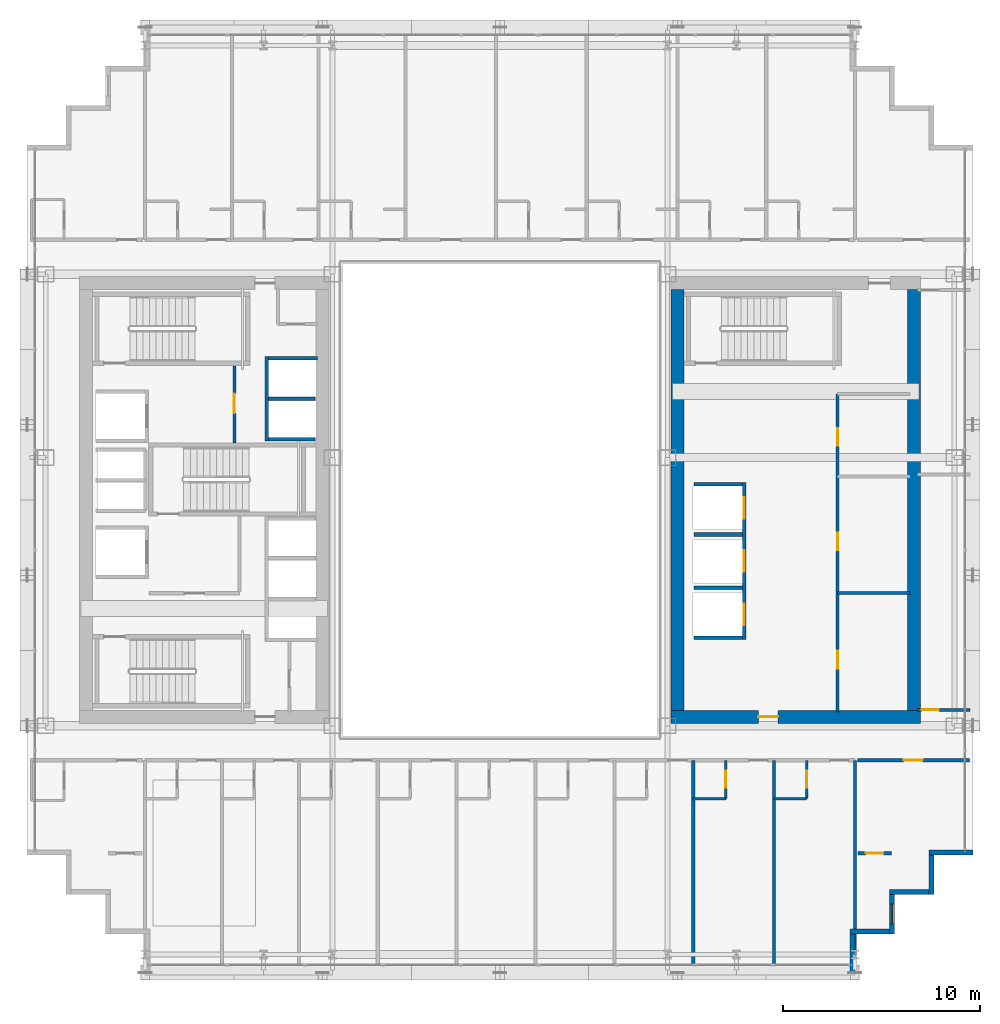
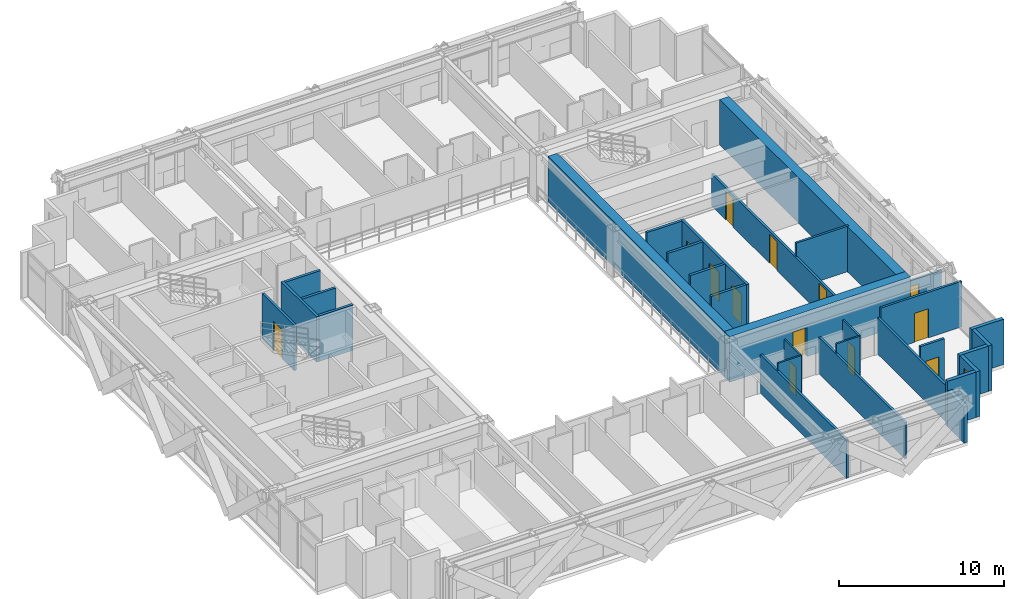
# One storey, part 29 of 36: 31 walls, 13 doors, 1 window, 14 openings.
"""IFC4 building model written with IfcOpenShell, lengths in metres."""

from ifc_helpers import new_model, si_unit, direction, frame, frame_2d, origin, place, context, subcontext, project, spatial, rectangle, extrude, source, transform, mapped, material, layer, layer_set, type_object, element, fill, save


model = new_model("IFC4")

# Units and contexts
model_context = context("Model", 3, precision=1e-05, world=origin(), true_north=direction((0.0, 1.0)))
body_context = subcontext(model_context, "Body", "Model", "MODEL_VIEW")
ifc_project = project(units=[si_unit("LENGTHUNIT", "METRE"), si_unit("AREAUNIT", "SQUARE_METRE"), si_unit("VOLUMEUNIT", "CUBIC_METRE"), si_unit("PLANEANGLEUNIT", "RADIAN"), si_unit("MASSUNIT", "GRAM", prefix="KILO")], contexts=[model_context])

# Site, building, storey
site_placement = place(None, origin())
site = spatial("IfcSite", under=ifc_project, at=site_placement, CompositionType="ELEMENT")
building_placement = place(site_placement, origin())
building = spatial("IfcBuilding", under=site, at=building_placement, Name="Ocotamira Hotel", CompositionType="ELEMENT")
storey_placement = place(building_placement, frame((0.0, 0.0, 136.800048828125)))
storey = spatial("IfcBuildingStorey", under=building, at=storey_placement, Name="L34", CompositionType="ELEMENT", Elevation=136.800048828125)

# Wall, opening, door
ifc_material_1 = material(Name="Concrete C60/75", Category="concrete")
ifc_layer_1 = layer(ifc_material_1, 0.64990234375)
ifc_layer_set_1 = layer_set([ifc_layer_1], Name="Concrete C60/75")
wall_type_1 = type_object("IfcWallType", Name="WL-CORE-650", PredefinedType="SHEAR", material=ifc_layer_set_1)
wall_1_placement = place(storey_placement, frame((40.675048828125, 15.0, 0.0), z_axis=(0.0, 0.0, 1.0), x_axis=(1.0, 0.0, 0.0)))
wall_1 = element("IfcWall", 1, at=wall_1_placement, inside=storey, type_object=wall_type_1, Name="L34 Shear Core Wall ECORE-S", PredefinedType="SHEAR", context=body_context, shape_type="SweptSolid", body=[
    extrude(rectangle(XDim=12.64990234375, YDim=0.64990234375, at=frame_2d((6.324951171875, 0.0))), origin(), (0.0, 0.0, 1.0), 3.35986328125),
])
opening_1_placement = place(wall_1_placement, frame((4.425048828125, 0.0, 0.0)))
opening_1 = element("IfcOpeningElement", 2, at=opening_1_placement, cuts=wall_1, Name="Opening D-FR2", PredefinedType="OPENING", context=body_context, shape_type="SweptSolid", body=[
    extrude(rectangle(XDim=1.0, YDim=2.14990234375, at=frame_2d((0.5, 1.074951171875))), frame((0.0, 0.3349609375, 0.0), z_axis=(0.0, -1.0, 0.0), x_axis=(1.0, 0.0, 0.0)), (0.0, 0.0, 1.0), 0.669921875),
])
ifc_material_2 = material(Name="Fire-rated acoustic timber-veneer door", Category="wood")
door_type_1 = type_object("IfcDoorType", Name="DR-FIRE-1000", OperationType="NOTDEFINED", PredefinedType="DOOR", material=ifc_material_2)
shared_shape_1 = source(origin(), body_context, "Body", "SweptSolid", [
    extrude(rectangle(XDim=1.0, YDim=2.14990234375, at=frame_2d((0.5, 1.074951171875))), frame((0.0, 0.02490234375, 0.0), z_axis=(0.0, -1.0, 0.0), x_axis=(1.0, 0.0, 0.0)), (0.0, 0.0, 1.0), 0.050048828125),
])
door_1_placement = place(opening_1_placement, origin())
door_1 = element("IfcDoor", 3, at=door_1_placement, inside=storey, type_object=door_type_1, Name="L34 Door ID-L34-ELOB-S-D [ID-L34-ELOB-S-D]", OperationType="SINGLE_SWING_RIGHT", OverallHeight=2.14990234375, OverallWidth=1.0, PredefinedType="DOOR", context=body_context, shape_type="MappedRepresentation", body=[
    mapped(shared_shape_1, transform((0.0, 0.0, 0.0), scale=1.0)),
])
fill(opening_1, door_1)

# Walls
for number, where, z_axis, x_axis, name in (
    (4, (41.0, 15.324951171875, 0.0), (0.0, 0.0, 1.0), (0.0, 1.0, 0.0), "L34 Shear Core Wall ECORE-W"),
    (5, (53.0, 15.324951171875, 0.0), (0.0, 0.0, 1.0), (0.0, 1.0, 0.0), "L34 Shear Core Wall ECORE-E"),
):
    element("IfcWall", number, at=place(storey_placement, frame(where, z_axis=z_axis, x_axis=x_axis)), inside=storey, type_object=wall_type_1, Name=name, PredefinedType="SHEAR", context=body_context, shape_type="SweptSolid", body=[
        extrude(rectangle(XDim=21.35009765625, YDim=0.64990234375, at=frame_2d((10.675048828125, 0.0))), origin(), (0.0, 0.0, 1.0), 3.35986328125),
    ])
ifc_material_3 = material(Name="Precast concrete C45/55", Category="concrete")
ifc_layer_2 = layer(ifc_material_3, 0.25)
ifc_layer_set_2 = layer_set([ifc_layer_2], Name="Precast concrete C45/55")
wall_type_2 = type_object("IfcWallType", Name="WL-EXT-SER-250", PredefinedType="SOLIDWALL", material=ifc_layer_set_2)
wall_2_placement = place(storey_placement, frame((49.875, 2.0, 0.0), z_axis=(0.0, 0.0, 1.0), x_axis=(0.0, 1.0, 0.0)))
element("IfcWall", 6, at=wall_2_placement, inside=storey, type_object=wall_type_2, Name="L34 Serrated Corner Wall 01", PredefinedType="SOLIDWALL", context=body_context, shape_type="SweptSolid", body=[
    extrude(rectangle(XDim=2.0, YDim=0.25, at=frame_2d((1.0, 0.0))), origin(), (0.0, 0.0, 1.0), 2.6669921875),
])
wall_3_placement = place(storey_placement, frame((49.75, 4.125, 0.0), z_axis=(0.0, 0.0, 1.0), x_axis=(1.0, 0.0, 0.0)))
element("IfcWall", 7, at=wall_3_placement, inside=storey, type_object=wall_type_2, Name="L34 Serrated Corner Wall 02", PredefinedType="SOLIDWALL", context=body_context, shape_type="SweptSolid", body=[
    extrude(rectangle(XDim=2.0, YDim=0.25, at=frame_2d((1.0, 0.0))), origin(), (0.0, 0.0, 1.0), 3.35986328125),
])

# Wall, opening, window
wall_4_placement = place(storey_placement, frame((51.875, 4.0, 0.0), z_axis=(0.0, 0.0, 1.0), x_axis=(0.0, 1.0, 0.0)))
wall_4 = element("IfcWall", 8, at=wall_4_placement, inside=storey, type_object=wall_type_2, Name="L34 Serrated Corner Wall 03", PredefinedType="SOLIDWALL", context=body_context, shape_type="SweptSolid", body=[
    extrude(rectangle(XDim=2.0, YDim=0.25, at=frame_2d((1.0, 0.0))), origin(), (0.0, 0.0, 1.0), 3.35986328125),
])
opening_2_placement = place(wall_4_placement, frame((0.5, 0.0, 0.85009765625)))
opening_2 = element("IfcOpeningElement", 9, at=opening_2_placement, cuts=wall_4, Name="Opening WN-2", PredefinedType="OPENING", context=body_context, shape_type="SweptSolid", body=[
    extrude(rectangle(XDim=1.0, YDim=1.89990234375, at=frame_2d((0.5, 0.949951171875))), frame((0.0, 0.135009765625, 0.0), z_axis=(0.0, -1.0, 0.0), x_axis=(1.0, 0.0, 0.0)), (0.0, 0.0, 1.0), 0.27001953125),
])
ifc_material_4 = material(Name="Double-silver low-E solar glass", Category="glass")
window_type = type_object("IfcWindowType", Name="WIN-SER-1100", PartitioningType="SINGLE_PANEL", PredefinedType="WINDOW", material=ifc_material_4)
shared_shape_2 = source(origin(), body_context, "Body", "SweptSolid", [
    extrude(rectangle(XDim=1.0, YDim=1.89990234375, at=frame_2d((0.5, 0.949951171875))), frame((0.0, 0.030029296875, 0.0), z_axis=(0.0, -1.0, 0.0), x_axis=(1.0, 0.0, 0.0)), (0.0, 0.0, 1.0), 0.06005859375),
])
window_placement = place(opening_2_placement, origin())
window = element("IfcWindow", 10, at=window_placement, inside=storey, type_object=window_type, Name="L34 Serrated Corner Window 03", OverallHeight=1.89990234375, OverallWidth=1.0, PartitioningType="SINGLE_PANEL", PredefinedType="WINDOW", context=body_context, shape_type="MappedRepresentation", body=[
    mapped(shared_shape_2, transform((0.0, 0.0, 0.0), scale=1.0)),
])
fill(opening_2, window)

# Walls
for number, where, z_axis, x_axis, name in (
    (11, (51.75, 6.125, 0.0), (0.0, 0.0, 1.0), (1.0, 0.0, 0.0), "L34 Serrated Corner Wall 04"),
    (12, (53.875, 6.0, 0.0), (0.0, 0.0, 1.0), (0.0, 1.0, 0.0), "L34 Serrated Corner Wall 05"),
):
    element("IfcWall", number, at=place(storey_placement, frame(where, z_axis=z_axis, x_axis=x_axis)), inside=storey, type_object=wall_type_2, Name=name, PredefinedType="SOLIDWALL", context=body_context, shape_type="SweptSolid", body=[
        extrude(rectangle(XDim=2.0, YDim=0.25, at=frame_2d((1.0, 0.0))), origin(), (0.0, 0.0, 1.0), 3.35986328125),
    ])
wall_5_placement = place(storey_placement, frame((53.75, 8.125, 0.0), z_axis=(0.0, 0.0, 1.0), x_axis=(1.0, 0.0, 0.0)))
element("IfcWall", 13, at=wall_5_placement, inside=storey, type_object=wall_type_2, Name="L34 Serrated Corner Wall 06", PredefinedType="SOLIDWALL", context=body_context, shape_type="SweptSolid", body=[
    extrude(rectangle(XDim=2.25, YDim=0.25, at=frame_2d((1.125, 0.0))), origin(), (0.0, 0.0, 1.0), 3.35986328125),
])

# Wall, opening, door
ifc_material_5 = material(Name="Acoustic double-layer fire gypsum board partition", Category="gypsum")
ifc_layer_3 = layer(ifc_material_5, 0.159912109375)
ifc_layer_set_3 = layer_set([ifc_layer_3], Name="Acoustic double-layer fire gypsum board partition")
wall_type_3 = type_object("IfcWallType", Name="WL-FIRE-160", PredefinedType="PARTITIONING", material=ifc_layer_set_3)
wall_6_placement = place(storey_placement, frame((18.530029296875, 28.89990234375, 0.0), z_axis=(0.0, 0.0, 1.0), x_axis=(0.0, 1.0, 0.0)))
wall_6 = element("IfcWall", 14, at=wall_6_placement, inside=storey, type_object=wall_type_3, Name="L34 Interior Wall PW-L34-FSAE2-E", PredefinedType="PARTITIONING", context=body_context, shape_type="SweptSolid", body=[
    extrude(rectangle(XDim=3.900146484375, YDim=0.159912109375, at=frame_2d((1.9501953125, 0.0))), origin(), (0.0, 0.0, 1.0), 3.35986328125),
])
opening_3_placement = place(wall_6_placement, frame((1.5, 0.0, 0.0)))
opening_3 = element("IfcOpeningElement", 15, at=opening_3_placement, cuts=wall_6, Name="Opening D-FR2", PredefinedType="OPENING", context=body_context, shape_type="SweptSolid", body=[
    extrude(rectangle(XDim=1.0, YDim=2.14990234375, at=frame_2d((0.5, 1.074951171875))), frame((0.0, 0.08984375, 0.0), z_axis=(0.0, -1.0, 0.0), x_axis=(1.0, 0.0, 0.0)), (0.0, 0.0, 1.0), 0.179931640625),
])
door_2_placement = place(opening_3_placement, origin())
door_2 = element("IfcDoor", 16, at=door_2_placement, inside=storey, type_object=door_type_1, Name="L34 Door ID-L34-FSAE2-D [ID-L34-FSAE2-D]", OperationType="SINGLE_SWING_RIGHT", OverallHeight=2.14990234375, OverallWidth=1.0, PredefinedType="DOOR", context=body_context, shape_type="MappedRepresentation", body=[
    mapped(shared_shape_1, transform((0.0, 0.0, 0.0), scale=1.0)),
])
fill(opening_3, door_2)

# Wall, openings, doors
wall_7_placement = place(storey_placement, frame((49.1201171875, 15.25, 0.0), z_axis=(0.0, 0.0, 1.0), x_axis=(0.0, 1.0, 0.0)))
wall_7 = element("IfcWall", 17, at=wall_7_placement, inside=storey, type_object=wall_type_3, Name="L34 Interior Wall PW-L34-EC-FLOW-W", PredefinedType="PARTITIONING", context=body_context, shape_type="SweptSolid", body=[
    extrude(rectangle(XDim=16.1298828125, YDim=0.159912109375, at=frame_2d((8.06494140625, 0.0))), origin(), (0.0, 0.0, 1.0), 2.35986328125),
])
opening_4_placement = place(wall_7_placement, frame((2.199951171875, 0.0, 0.0)))
opening_4 = element("IfcOpeningElement", 18, at=opening_4_placement, cuts=wall_7, Name="Opening D-IN3", PredefinedType="OPENING", context=body_context, shape_type="SweptSolid", body=[
    extrude(rectangle(XDim=0.89990234375, YDim=2.14990234375, at=frame_2d((0.449951171875, 1.074951171875))), frame((0.0, 0.08984375, 0.0), z_axis=(0.0, -1.0, 0.0), x_axis=(1.0, 0.0, 0.0)), (0.0, 0.0, 1.0), 0.179931640625),
])
opening_5_placement = place(wall_7_placement, frame((8.199951171875, 0.0, 0.0)))
opening_5 = element("IfcOpeningElement", 19, at=opening_5_placement, cuts=wall_7, Name="Opening D-IN3", PredefinedType="OPENING", context=body_context, shape_type="SweptSolid", body=[
    extrude(rectangle(XDim=0.89990234375, YDim=2.14990234375, at=frame_2d((0.449951171875, 1.074951171875))), frame((0.0, 0.08984375, 0.0), z_axis=(0.0, -1.0, 0.0), x_axis=(1.0, 0.0, 0.0)), (0.0, 0.0, 1.0), 0.179931640625),
])
opening_6_placement = place(wall_7_placement, frame((13.5, 0.0, 0.0)))
opening_6 = element("IfcOpeningElement", 20, at=opening_6_placement, cuts=wall_7, Name="Opening D-IN3", PredefinedType="OPENING", context=body_context, shape_type="SweptSolid", body=[
    extrude(rectangle(XDim=0.89990234375, YDim=2.14990234375, at=frame_2d((0.449951171875, 1.074951171875))), frame((0.0, 0.08984375, 0.0), z_axis=(0.0, -1.0, 0.0), x_axis=(1.0, 0.0, 0.0)), (0.0, 0.0, 1.0), 0.179931640625),
])
ifc_material_6 = material(Name="Painted service room door", Category="steel")
door_type_2 = type_object("IfcDoorType", Name="DR-INT-900", OperationType="NOTDEFINED", PredefinedType="DOOR", material=ifc_material_6)
shared_shape_3 = source(origin(), body_context, "Body", "SweptSolid", [
    extrude(rectangle(XDim=0.89990234375, YDim=2.14990234375, at=frame_2d((0.449951171875, 1.074951171875))), frame((0.0, 0.02490234375, 0.0), z_axis=(0.0, -1.0, 0.0), x_axis=(1.0, 0.0, 0.0)), (0.0, 0.0, 1.0), 0.050048828125),
])
door_3_placement = place(opening_4_placement, origin())
door_3 = element("IfcDoor", 21, at=door_3_placement, inside=storey, type_object=door_type_2, Name="L34 Door ID-L34-EC-FLOW-D1 [ID-L34-EC-FLOW-D1]", OperationType="SINGLE_SWING_LEFT", OverallHeight=2.14990234375, OverallWidth=0.89990234375, PredefinedType="DOOR", context=body_context, shape_type="MappedRepresentation", body=[
    mapped(shared_shape_3, transform((0.0, 0.0, 0.0), scale=1.0)),
])
fill(opening_4, door_3)
door_4_placement = place(opening_5_placement, origin())
door_4 = element("IfcDoor", 22, at=door_4_placement, inside=storey, type_object=door_type_2, Name="L34 Door ID-L34-EC-FLOW-D2 [ID-L34-EC-FLOW-D2]", OperationType="SINGLE_SWING_RIGHT", OverallHeight=2.14990234375, OverallWidth=0.89990234375, PredefinedType="DOOR", context=body_context, shape_type="MappedRepresentation", body=[
    mapped(shared_shape_3, transform((0.0, 0.0, 0.0), scale=1.0)),
])
fill(opening_5, door_4)
door_5_placement = place(opening_6_placement, origin())
door_5 = element("IfcDoor", 23, at=door_5_placement, inside=storey, type_object=door_type_2, Name="L34 Door ID-L34-EC-FLOW-D3 [ID-L34-EC-FLOW-D3]", OperationType="SINGLE_SWING_LEFT", OverallHeight=2.14990234375, OverallWidth=0.89990234375, PredefinedType="DOOR", context=body_context, shape_type="MappedRepresentation", body=[
    mapped(shared_shape_3, transform((0.0, 0.0, 0.0), scale=1.0)),
])
fill(opening_6, door_5)

# Wall, opening, door
wall_8_placement = place(storey_placement, frame((50.1201171875, 12.800048828125, 0.0), z_axis=(0.0, 0.0, 1.0), x_axis=(1.0, 0.0, 0.0)))
wall_8 = element("IfcWall", 24, at=wall_8_placement, inside=storey, type_object=wall_type_3, Name="L34 Interior Wall PW-L34-Z2D-CSE-CW", PredefinedType="PARTITIONING", context=body_context, shape_type="SweptSolid", body=[
    extrude(rectangle(XDim=5.679931640625, YDim=0.159912109375, at=frame_2d((2.83984375, 0.0))), origin(), (0.0, 0.0, 1.0), 3.35986328125),
])
opening_7_placement = place(wall_8_placement, frame((2.360107421875, 0.0, 0.0)))
opening_7 = element("IfcOpeningElement", 25, at=opening_7_placement, cuts=wall_8, Name="Opening D-SV4", PredefinedType="OPENING", context=body_context, shape_type="SweptSolid", body=[
    extrude(rectangle(XDim=0.9599609375, YDim=2.14990234375, at=frame_2d((0.47998046875, 1.074951171875))), frame((0.0, 0.08984375, 0.0), z_axis=(0.0, -1.0, 0.0), x_axis=(1.0, 0.0, 0.0)), (0.0, 0.0, 1.0), 0.179931640625),
])
ifc_material_7 = material(Name="Fire-rated accessible walnut salon door", Category="wood")
door_type_3 = type_object("IfcDoorType", Name="DR-SERV-960", OperationType="NOTDEFINED", PredefinedType="DOOR", material=ifc_material_7)
shared_shape_4 = source(origin(), body_context, "Body", "SweptSolid", [
    extrude(rectangle(XDim=0.9599609375, YDim=2.14990234375, at=frame_2d((0.47998046875, 1.074951171875))), frame((0.0, 0.02490234375, 0.0), z_axis=(0.0, -1.0, 0.0), x_axis=(1.0, 0.0, 0.0)), (0.0, 0.0, 1.0), 0.050048828125),
])
door_6_placement = place(opening_7_placement, origin())
door_6 = element("IfcDoor", 26, at=door_6_placement, inside=storey, type_object=door_type_3, Name="L34 Door ID-L34-Z2D-CSE-CD [ID-L34-Z2D-CSE-CD]", OperationType="SINGLE_SWING_LEFT", OverallHeight=2.14990234375, OverallWidth=0.9599609375, PredefinedType="DOOR", context=body_context, shape_type="MappedRepresentation", body=[
    mapped(shared_shape_4, transform((0.0, 0.0, 0.0), scale=1.0)),
])
fill(opening_7, door_6)

wall_9_placement = place(storey_placement, frame((50.14990234375, 8.080078125, 0.0), z_axis=(0.0, 0.0, 1.0), x_axis=(1.0, 0.0, 0.0)))
wall_9 = element("IfcWall", 27, at=wall_9_placement, inside=storey, type_object=wall_type_3, Name="L34 Interior Wall PW-L34-Z2D-CSE2-CW", PredefinedType="PARTITIONING", context=body_context, shape_type="SweptSolid", body=[
    extrude(rectangle(XDim=1.7001953125, YDim=0.159912109375, at=frame_2d((0.85009765625, 0.0))), origin(), (0.0, 0.0, 1.0), 3.35986328125),
])
opening_8_placement = place(wall_9_placement, frame((0.409912109375, 0.0, 0.0)))
opening_8 = element("IfcOpeningElement", 28, at=opening_8_placement, cuts=wall_9, Name="Opening D-SV2", PredefinedType="OPENING", context=body_context, shape_type="SweptSolid", body=[
    extrude(rectangle(XDim=0.8798828125, YDim=2.14990234375, at=frame_2d((0.43994140625, 1.074951171875))), frame((0.0, 0.08984375, 0.0), z_axis=(0.0, -1.0, 0.0), x_axis=(1.0, 0.0, 0.0)), (0.0, 0.0, 1.0), 0.179931640625),
])
ifc_material_8 = material(Name="Fire-rated painted steel service door", Category="steel")
door_type_4 = type_object("IfcDoorType", Name="DR-SERV-880", OperationType="NOTDEFINED", PredefinedType="DOOR", material=ifc_material_8)
shared_shape_5 = source(origin(), body_context, "Body", "SweptSolid", [
    extrude(rectangle(XDim=0.8798828125, YDim=2.14990234375, at=frame_2d((0.43994140625, 1.074951171875))), frame((0.0, 0.02490234375, 0.0), z_axis=(0.0, -1.0, 0.0), x_axis=(1.0, 0.0, 0.0)), (0.0, 0.0, 1.0), 0.050048828125),
])
door_7_placement = place(opening_8_placement, origin())
door_7 = element("IfcDoor", 29, at=door_7_placement, inside=storey, type_object=door_type_4, Name="L34 Door ID-L34-Z2D-CSE2-CD [ID-L34-Z2D-CSE2-CD]", OperationType="SINGLE_SWING_LEFT", OverallHeight=2.14990234375, OverallWidth=0.8798828125, PredefinedType="DOOR", context=body_context, shape_type="MappedRepresentation", body=[
    mapped(shared_shape_5, transform((0.0, 0.0, 0.0), scale=1.0)),
])
fill(opening_8, door_7)

ifc_material_9 = material(Name="Moisture-resistant en-suite tile and gypsum partition", Category="gypsum")
ifc_layer_4 = layer(ifc_material_9, 0.1201171875)
ifc_layer_set_4 = layer_set([ifc_layer_4], Name="Moisture-resistant en-suite tile and gypsum partition")
wall_type_4 = type_object("IfcWallType", Name="WL-PART-120", PredefinedType="PARTITIONING", material=ifc_layer_set_4)
wall_10_placement = place(storey_placement, frame((43.449951171875, 10.85009765625, 0.0), z_axis=(0.0, 0.0, 1.0), x_axis=(0.0, 1.0, 0.0)))
wall_10 = element("IfcWall", 30, at=wall_10_placement, inside=storey, type_object=wall_type_4, Name="L34 Interior Wall PW-L34-Z2DS-BAE8", PredefinedType="PARTITIONING", context=body_context, shape_type="SweptSolid", body=[
    extrude(rectangle(XDim=1.949951171875, YDim=0.1201171875, at=frame_2d((0.97509765625, 0.0))), origin(), (0.0, 0.0, 1.0), 3.35986328125),
])
opening_9_placement = place(wall_10_placement, frame((0.544921875, 0.0, 0.0)))
opening_9 = element("IfcOpeningElement", 31, at=opening_9_placement, cuts=wall_10, Name="Opening D-BA1", PredefinedType="OPENING", context=body_context, shape_type="SweptSolid", body=[
    extrude(rectangle(XDim=0.860107421875, YDim=2.10009765625, at=frame_2d((0.43017578125, 1.050048828125))), frame((0.0, 0.070068359375, 0.0), z_axis=(0.0, -1.0, 0.0), x_axis=(1.0, 0.0, 0.0)), (0.0, 0.0, 1.0), 0.14013671875),
])
ifc_material_10 = material(Name="Moisture-sealed en-suite timber door", Category="wood")
door_type_5 = type_object("IfcDoorType", Name="DR-BATH-860", OperationType="NOTDEFINED", PredefinedType="DOOR", material=ifc_material_10)
shared_shape_6 = source(origin(), body_context, "Body", "SweptSolid", [
    extrude(rectangle(XDim=0.860107421875, YDim=2.10009765625, at=frame_2d((0.43017578125, 1.050048828125))), frame((0.0, 0.02490234375, 0.0), z_axis=(0.0, -1.0, 0.0), x_axis=(1.0, 0.0, 0.0)), (0.0, 0.0, 1.0), 0.050048828125),
])
door_8_placement = place(opening_9_placement, origin())
door_8 = element("IfcDoor", 32, at=door_8_placement, inside=storey, type_object=door_type_5, Name="L34 Door ID-L34-Z2DS-BAD8 [ID-L34-Z2DS-BAD8]", OperationType="SINGLE_SWING_LEFT", OverallHeight=2.10009765625, OverallWidth=0.860107421875, PredefinedType="DOOR", context=body_context, shape_type="MappedRepresentation", body=[
    mapped(shared_shape_6, transform((0.0, 0.0, 0.0), scale=1.0)),
])
fill(opening_9, door_8)

# Wall
wall_11_placement = place(storey_placement, frame((41.800048828125, 10.85009765625, 0.0), z_axis=(0.0, 0.0, 1.0), x_axis=(1.0, 0.0, 0.0)))
element("IfcWall", 33, at=wall_11_placement, inside=storey, type_object=wall_type_4, Name="L34 Interior Wall PW-L34-Z2DS-BAS8", PredefinedType="PARTITIONING", context=body_context, shape_type="SweptSolid", body=[
    extrude(rectangle(XDim=1.64990234375, YDim=0.1201171875, at=frame_2d((0.824951171875, 0.0))), origin(), (0.0, 0.0, 1.0), 3.35986328125),
])

# Wall, opening, door
wall_12_placement = place(storey_placement, frame((47.550048828125, 10.85009765625, 0.0), z_axis=(0.0, 0.0, 1.0), x_axis=(0.0, 1.0, 0.0)))
wall_12 = element("IfcWall", 34, at=wall_12_placement, inside=storey, type_object=wall_type_4, Name="L34 Interior Wall PW-L34-Z2DS-BAE9", PredefinedType="PARTITIONING", context=body_context, shape_type="SweptSolid", body=[
    extrude(rectangle(XDim=1.949951171875, YDim=0.1201171875, at=frame_2d((0.97509765625, 0.0))), origin(), (0.0, 0.0, 1.0), 3.35986328125),
])
opening_10_placement = place(wall_12_placement, frame((0.544921875, 0.0, 0.0)))
opening_10 = element("IfcOpeningElement", 35, at=opening_10_placement, cuts=wall_12, Name="Opening D-BA1", PredefinedType="OPENING", context=body_context, shape_type="SweptSolid", body=[
    extrude(rectangle(XDim=0.860107421875, YDim=2.10009765625, at=frame_2d((0.43017578125, 1.050048828125))), frame((0.0, 0.070068359375, 0.0), z_axis=(0.0, -1.0, 0.0), x_axis=(1.0, 0.0, 0.0)), (0.0, 0.0, 1.0), 0.14013671875),
])
door_9_placement = place(opening_10_placement, origin())
door_9 = element("IfcDoor", 36, at=door_9_placement, inside=storey, type_object=door_type_5, Name="L34 Door ID-L34-Z2DS-BAD9 [ID-L34-Z2DS-BAD9]", OperationType="SINGLE_SWING_RIGHT", OverallHeight=2.10009765625, OverallWidth=0.860107421875, PredefinedType="DOOR", context=body_context, shape_type="MappedRepresentation", body=[
    mapped(shared_shape_6, transform((0.0, 0.0, 0.0), scale=1.0)),
])
fill(opening_10, door_9)

# Walls
wall_13_placement = place(storey_placement, frame((45.89990234375, 10.85009765625, 0.0), z_axis=(0.0, 0.0, 1.0), x_axis=(1.0, 0.0, 0.0)))
element("IfcWall", 37, at=wall_13_placement, inside=storey, type_object=wall_type_4, Name="L34 Interior Wall PW-L34-Z2DS-BAS9", PredefinedType="PARTITIONING", context=body_context, shape_type="SweptSolid", body=[
    extrude(rectangle(XDim=1.650146484375, YDim=0.1201171875, at=frame_2d((0.8251953125, 0.0))), origin(), (0.0, 0.0, 1.0), 3.35986328125),
])
ifc_material_11 = material(Name="Acoustic hospitality gypsum board partition", Category="gypsum")
ifc_layer_5 = layer(ifc_material_11, 0.14990234375)
ifc_layer_set_5 = layer_set([ifc_layer_5], Name="Acoustic hospitality gypsum board partition")
wall_type_5 = type_object("IfcWallType", Name="WL-PART-150", PredefinedType="PARTITIONING", material=ifc_layer_set_5)
wall_14_placement = place(storey_placement, frame((49.1201171875, 21.2900390625, 0.0), z_axis=(0.0, 0.0, 1.0), x_axis=(1.0, 0.0, 0.0)))
element("IfcWall", 38, at=wall_14_placement, inside=storey, type_object=wall_type_5, Name="L34 Interior Wall PW-L34-EC-FDIV1", PredefinedType="PARTITIONING", context=body_context, shape_type="SweptSolid", body=[
    extrude(rectangle(XDim=3.679931640625, YDim=0.14990234375, at=frame_2d((1.83984375, 0.0))), origin(), (0.0, 0.0, 1.0), 3.35986328125),
])

# Wall, opening, door
wall_15_placement = place(storey_placement, frame((53.179931640625, 15.360107421875, 0.0), z_axis=(0.0, 0.0, 1.0), x_axis=(1.0, 0.0, 0.0)))
wall_15 = element("IfcWall", 39, at=wall_15_placement, inside=storey, type_object=wall_type_5, Name="L34 Interior Wall PW-L34-Z2D-EF-WS", PredefinedType="PARTITIONING", context=body_context, shape_type="SweptSolid", body=[
    extrude(rectangle(XDim=2.66015625, YDim=0.14990234375, at=frame_2d((1.330078125, 0.0))), origin(), (0.0, 0.0, 1.0), 2.5810546875),
])
opening_11_placement = place(wall_15_placement, frame((0.199951171875, 0.0, 0.0)))
opening_11 = element("IfcOpeningElement", 40, at=opening_11_placement, cuts=wall_15, Name="Opening D-SV2", PredefinedType="OPENING", context=body_context, shape_type="SweptSolid", body=[
    extrude(rectangle(XDim=0.8798828125, YDim=2.14990234375, at=frame_2d((0.43994140625, 1.074951171875))), frame((0.0, 0.0849609375, 0.0), z_axis=(0.0, -1.0, 0.0), x_axis=(1.0, 0.0, 0.0)), (0.0, 0.0, 1.0), 0.169921875),
])
door_10_placement = place(opening_11_placement, origin())
door_10 = element("IfcDoor", 41, at=door_10_placement, inside=storey, type_object=door_type_4, Name="L34 Door ID-L34-Z2D-EF-DS [ID-L34-Z2D-EF-DS]", OperationType="SINGLE_SWING_RIGHT", OverallHeight=2.14990234375, OverallWidth=0.8798828125, PredefinedType="DOOR", context=body_context, shape_type="MappedRepresentation", body=[
    mapped(shared_shape_5, transform((0.0, 0.0, 0.0), scale=1.0)),
])
fill(opening_11, door_10)

# Walls
ifc_material_12 = material(Name="Acoustic double-stud hospitality gypsum partition", Category="gypsum")
ifc_layer_6 = layer(ifc_material_12, 0.159912109375)
ifc_layer_set_6 = layer_set([ifc_layer_6], Name="Acoustic double-stud hospitality gypsum partition")
wall_type_6 = type_object("IfcWallType", Name="WL-PART-160", PredefinedType="PARTITIONING", material=ifc_layer_set_6)
wall_16_placement = place(storey_placement, frame((50.0, 2.360107421875, 0.0), z_axis=(0.0, 0.0, 1.0), x_axis=(0.0, 1.0, 0.0)))
element("IfcWall", 42, at=wall_16_placement, inside=storey, type_object=wall_type_6, Name="L34 Interior Wall PW-L34-Z2DS-PWEND", PredefinedType="PARTITIONING", context=body_context, shape_type="SweptSolid", body=[
    extrude(rectangle(XDim=10.43994140625, YDim=0.159912109375, at=frame_2d((5.219970703125, 0.0))), origin(), (0.0, 0.0, 1.0), 2.6669921875),
])
wall_17_placement = place(storey_placement, frame((41.800048828125, 2.360107421875, 0.0), z_axis=(0.0, 0.0, 1.0), x_axis=(0.0, 1.0, 0.0)))
element("IfcWall", 43, at=wall_17_placement, inside=storey, type_object=wall_type_6, Name="L34 Interior Wall PW-L34-Z2DS-PW7", PredefinedType="PARTITIONING", context=body_context, shape_type="SweptSolid", body=[
    extrude(rectangle(XDim=10.43994140625, YDim=0.159912109375, at=frame_2d((5.219970703125, 0.0))), origin(), (0.0, 0.0, 1.0), 2.822998046875),
])
wall_18_placement = place(storey_placement, frame((45.89990234375, 2.360107421875, 0.0), z_axis=(0.0, 0.0, 1.0), x_axis=(0.0, 1.0, 0.0)))
element("IfcWall", 44, at=wall_18_placement, inside=storey, type_object=wall_type_6, Name="L34 Interior Wall PW-L34-Z2DS-PW8", PredefinedType="PARTITIONING", context=body_context, shape_type="SweptSolid", body=[
    extrude(rectangle(XDim=10.43994140625, YDim=0.159912109375, at=frame_2d((5.219970703125, 0.0))), origin(), (0.0, 0.0, 1.0), 2.6669921875),
])

# Wall, openings, doors
ifc_material_13 = material(Name="Fire-rated gypsum shaftliner board assembly", Category="gypsum")
ifc_layer_7 = layer(ifc_material_13, 0.179931640625)
ifc_layer_set_7 = layer_set([ifc_layer_7], Name="Fire-rated gypsum shaftliner board assembly")
wall_type_7 = type_object("IfcWallType", Name="WL-SHAFT-180", PredefinedType="SOLIDWALL", material=ifc_layer_set_7)
wall_19_placement = place(storey_placement, frame((44.389892578125, 18.919921875, 0.0), z_axis=(0.0, 0.0, 1.0), x_axis=(0.0, 1.0, 0.0)))
wall_19 = element("IfcWall", 45, at=wall_19_placement, inside=storey, type_object=wall_type_7, Name="L34 Interior Wall PW-L34-LFW-BANK-mid-F", PredefinedType="SOLIDWALL", context=body_context, shape_type="SweptSolid", body=[
    extrude(rectangle(XDim=7.9599609375, YDim=0.179931640625, at=frame_2d((3.97998046875, 0.0))), origin(), (0.0, 0.0, 1.0), 3.35986328125),
])
opening_12_placement = place(wall_19_placement, frame((0.72998046875, 0.0, 0.0)))
opening_12 = element("IfcOpeningElement", 46, at=opening_12_placement, cuts=wall_19, Name="Opening LD-LF-P4", PredefinedType="OPENING", context=body_context, shape_type="SweptSolid", body=[
    extrude(rectangle(XDim=1.10009765625, YDim=2.199951171875, at=frame_2d((0.550048828125, 1.10009765625))), frame((0.0, 0.10009765625, 0.0), z_axis=(0.0, -1.0, 0.0), x_axis=(1.0, 0.0, 0.0)), (0.0, 0.0, 1.0), 0.199951171875),
])
opening_13_placement = place(wall_19_placement, frame((3.429931640625, 0.0, 0.0)))
opening_13 = element("IfcOpeningElement", 47, at=opening_13_placement, cuts=wall_19, Name="Opening LD-LF-P5", PredefinedType="OPENING", context=body_context, shape_type="SweptSolid", body=[
    extrude(rectangle(XDim=1.10009765625, YDim=2.199951171875, at=frame_2d((0.550048828125, 1.10009765625))), frame((0.0, 0.10009765625, 0.0), z_axis=(0.0, -1.0, 0.0), x_axis=(1.0, 0.0, 0.0)), (0.0, 0.0, 1.0), 0.199951171875),
])
opening_14_placement = place(wall_19_placement, frame((6.1298828125, 0.0, 0.0)))
opening_14 = element("IfcOpeningElement", 48, at=opening_14_placement, cuts=wall_19, Name="Opening LD-LF-P6", PredefinedType="OPENING", context=body_context, shape_type="SweptSolid", body=[
    extrude(rectangle(XDim=1.10009765625, YDim=2.199951171875, at=frame_2d((0.550048828125, 1.10009765625))), frame((0.0, 0.10009765625, 0.0), z_axis=(0.0, -1.0, 0.0), x_axis=(1.0, 0.0, 0.0)), (0.0, 0.0, 1.0), 0.199951171875),
])
ifc_material_14 = material(Name="Brushed pale-metal stainless elevator landing door", Category="steel")
door_type_6 = type_object("IfcDoorType", Name="DR-LIFT-1100", OperationType="NOTDEFINED", PredefinedType="DOOR", material=ifc_material_14)
shared_shape_7 = source(origin(), body_context, "Body", "SweptSolid", [
    extrude(rectangle(XDim=1.10009765625, YDim=2.199951171875, at=frame_2d((0.550048828125, 1.10009765625))), frame((0.0, 0.02490234375, 0.0), z_axis=(0.0, -1.0, 0.0), x_axis=(1.0, 0.0, 0.0)), (0.0, 0.0, 1.0), 0.050048828125),
])
door_11_placement = place(opening_12_placement, origin())
door_11 = element("IfcDoor", 49, at=door_11_placement, inside=storey, type_object=door_type_6, Name="L34 Landing Door LD-LF-P4 [ID-L34-LD-LF-P4]", OperationType="DOUBLE_DOOR_SLIDING", OverallHeight=2.199951171875, OverallWidth=1.10009765625, PredefinedType="DOOR", context=body_context, shape_type="MappedRepresentation", body=[
    mapped(shared_shape_7, transform((0.0, 0.0, 0.0), scale=1.0)),
])
fill(opening_12, door_11)
door_12_placement = place(opening_13_placement, origin())
door_12 = element("IfcDoor", 50, at=door_12_placement, inside=storey, type_object=door_type_6, Name="L34 Landing Door LD-LF-P5 [ID-L34-LD-LF-P5]", OperationType="DOUBLE_DOOR_SLIDING", OverallHeight=2.199951171875, OverallWidth=1.10009765625, PredefinedType="DOOR", context=body_context, shape_type="MappedRepresentation", body=[
    mapped(shared_shape_7, transform((0.0, 0.0, 0.0), scale=1.0)),
])
fill(opening_13, door_12)
door_13_placement = place(opening_14_placement, origin())
door_13 = element("IfcDoor", 51, at=door_13_placement, inside=storey, type_object=door_type_6, Name="L34 Landing Door LD-LF-P6 [ID-L34-LD-LF-P6]", OperationType="DOUBLE_DOOR_SLIDING", OverallHeight=2.199951171875, OverallWidth=1.10009765625, PredefinedType="DOOR", context=body_context, shape_type="MappedRepresentation", body=[
    mapped(shared_shape_7, transform((0.0, 0.0, 0.0), scale=1.0)),
])
fill(opening_14, door_13)

# Walls
for number, where, z_axis, x_axis, name in (
    (52, (41.85009765625, 19.010009765625, 0.0), (0.0, 0.0, 1.0), (1.0, 0.0, 0.0), "L34 Interior Wall PW-L34-LFW-BANK-mid-S"),
    (53, (41.85009765625, 26.7900390625, 0.0), (0.0, 0.0, 1.0), (1.0, 0.0, 0.0), "L34 Interior Wall PW-L34-LFW-BANK-mid-N"),
    (54, (41.85009765625, 21.550048828125, 0.0), (0.0, 0.0, 1.0), (1.0, 0.0, 0.0), "L34 Interior Wall PW-L34-LFW-DIV-LF-P4"),
    (55, (41.85009765625, 24.25, 0.0), (0.0, 0.0, 1.0), (1.0, 0.0, 0.0), "L34 Interior Wall PW-L34-LFW-DIV-LF-P5"),
):
    element("IfcWall", number, at=place(storey_placement, frame(where, z_axis=z_axis, x_axis=x_axis)), inside=storey, type_object=wall_type_7, Name=name, PredefinedType="SOLIDWALL", context=body_context, shape_type="SweptSolid", body=[
        extrude(rectangle(XDim=2.449951171875, YDim=0.179931640625, at=frame_2d((1.22509765625, 0.0))), origin(), (0.0, 0.0, 1.0), 3.35986328125),
    ])
wall_20_placement = place(storey_placement, frame((20.159912109375, 29.0, 0.0), z_axis=(0.0, 0.0, 1.0), x_axis=(0.0, 1.0, 0.0)))
element("IfcWall", 56, at=wall_20_placement, inside=storey, type_object=wall_type_7, Name="L34 Interior Wall PW-L34-LFW-BANK-obs-F", PredefinedType="SOLIDWALL", context=body_context, shape_type="SweptSolid", body=[
    extrude(rectangle(XDim=4.2900390625, YDim=0.179931640625, at=frame_2d((2.14501953125, 0.0))), origin(), (0.0, 0.0, 1.0), 3.35986328125),
])
wall_21_placement = place(storey_placement, frame((20.25, 29.090087890625, 0.0), z_axis=(0.0, 0.0, 1.0), x_axis=(1.0, 0.0, 0.0)))
element("IfcWall", 57, at=wall_21_placement, inside=storey, type_object=wall_type_7, Name="L34 Interior Wall PW-L34-LFW-BANK-obs-S", PredefinedType="SOLIDWALL", context=body_context, shape_type="SweptSolid", body=[
    extrude(rectangle(XDim=2.360107421875, YDim=0.179931640625, at=frame_2d((1.18017578125, 0.0))), origin(), (0.0, 0.0, 1.0), 3.35986328125),
])
wall_22_placement = place(storey_placement, frame((20.25, 33.199951171875, 0.0), z_axis=(0.0, 0.0, 1.0), x_axis=(1.0, 0.0, 0.0)))
element("IfcWall", 58, at=wall_22_placement, inside=storey, type_object=wall_type_7, Name="L34 Interior Wall PW-L34-LFW-BANK-obs-N", PredefinedType="SOLIDWALL", context=body_context, shape_type="SweptSolid", body=[
    extrude(rectangle(XDim=2.5, YDim=0.179931640625, at=frame_2d((1.25, 0.0))), origin(), (0.0, 0.0, 1.0), 3.35986328125),
])
wall_23_placement = place(storey_placement, frame((20.25, 31.14501953125, 0.0), z_axis=(0.0, 0.0, 1.0), x_axis=(1.0, 0.0, 0.0)))
element("IfcWall", 59, at=wall_23_placement, inside=storey, type_object=wall_type_7, Name="L34 Interior Wall PW-L34-LFW-DIV-LF-OBS1", PredefinedType="SOLIDWALL", context=body_context, shape_type="SweptSolid", body=[
    extrude(rectangle(XDim=2.360107421875, YDim=0.179931640625, at=frame_2d((1.18017578125, 0.0))), origin(), (0.0, 0.0, 1.0), 3.35986328125),
])

save(model, "model.ifc")
